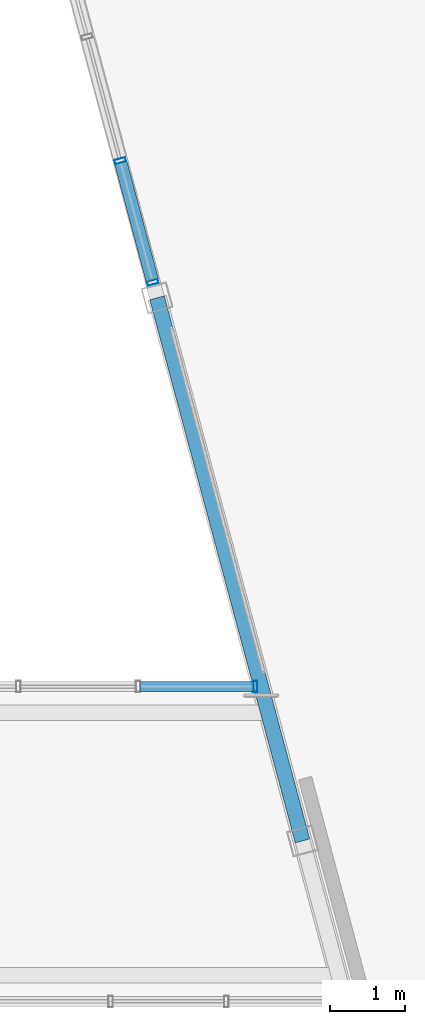
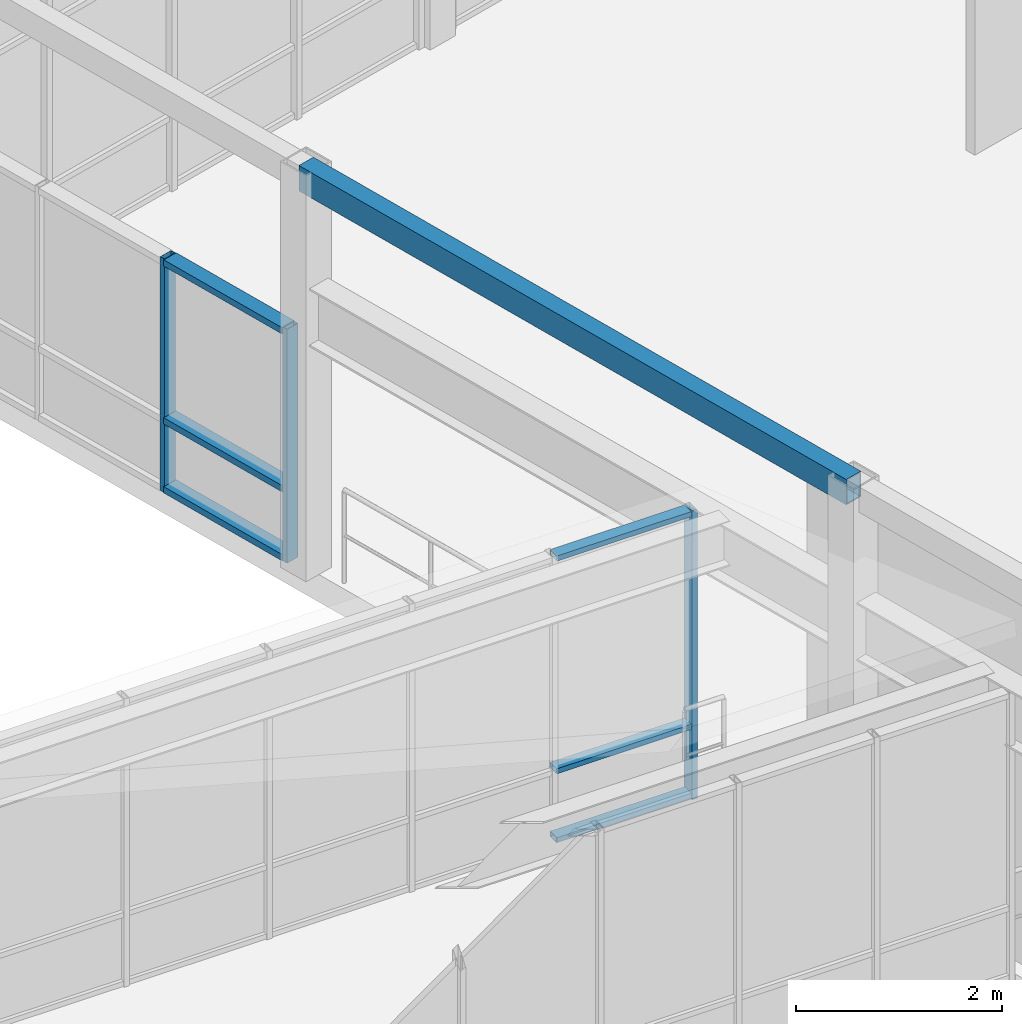
# One storey, part 33 of 99: 9 members, 1 beam, 2 elements without a shape of their own.
"""IFC4 building model written with IfcOpenShell, lengths in metres."""

from ifc_helpers import new_model, si_unit, direction, frame, origin, origin_2d, place, context, subcontext, project, spatial, hollow_rectangle, extrude, material, layer, layer_set, material_profile, profile_set, type_object, element, aggregate, save


model = new_model("IFC4")

# Units and contexts
model_context = context("Model", 3, precision=1e-05, world=origin(), true_north=direction((0.0, 1.0)))
body_context = subcontext(model_context, "Body", "Model", "MODEL_VIEW")
ifc_project = project(units=[si_unit("LENGTHUNIT", "METRE"), si_unit("AREAUNIT", "SQUARE_METRE"), si_unit("VOLUMEUNIT", "CUBIC_METRE"), si_unit("PLANEANGLEUNIT", "RADIAN"), si_unit("MASSUNIT", "GRAM", prefix="KILO")], contexts=[model_context])

# Site, building, storey
site_placement = place(None, origin())
site = spatial("IfcSite", under=ifc_project, at=site_placement, CompositionType="ELEMENT")
building_placement = place(site_placement, origin())
building = spatial("IfcBuilding", under=site, at=building_placement, Name="Ventoquebrada Cableway Terminal", CompositionType="ELEMENT")
storey_placement = place(building_placement, frame((0.0, 0.0, 9.60009765625)))
storey = spatial("IfcBuildingStorey", under=building, at=storey_placement, Name="L02", CompositionType="ELEMENT", Elevation=9.60009765625)

# Curtain wall, members
ifc_material_1 = material(Name="Anodized thermally-broken aluminium", Category="aluminium")
ifc_layer_1 = layer(ifc_material_1, 0.159912109375)
ifc_layer_set_1 = layer_set([ifc_layer_1], Name="Anodized thermally-broken aluminium")
curtain_wall_type_1 = type_object("IfcCurtainWallType", Name="CW-T41", PredefinedType="USERDEFINED", material=ifc_layer_set_1)
curtain_wall_1_placement = place(storey_placement, origin())
curtain_wall_1 = element("IfcCurtainWall", 1, at=curtain_wall_1_placement, inside=storey, type_object=curtain_wall_type_1, Name="Unitised glazed curtain wall CW-112", ObjectType="UNITISED CURTAIN WALL", PredefinedType="USERDEFINED")
ifc_material_profile_1 = material_profile(ifc_material_1, hollow_rectangle(XDim=0.06005859375, YDim=0.14990234375, WallThickness=0.00390625, at=origin_2d()), Name="CW-MUL-60X150")
ifc_profile_set_1 = profile_set([ifc_material_profile_1], Name="Anodized thermally-broken aluminium")
member_type_1 = type_object("IfcMemberType", Name="CWM-03", PredefinedType="MULLION", material=ifc_profile_set_1)
member_1_placement = place(storey_placement, frame((46.181884765625, 91.4150390625, -0.008056640625), z_axis=(0.0, 0.0, 1.0), x_axis=(0.258616736395, -0.965980012038, 0.0)))
member_1 = element("IfcMember", 2, at=member_1_placement, type_object=member_type_1, Name="Curtain wall mullion FML-0546", PredefinedType="MULLION", context=body_context, shape_type="SweptSolid", body=[
    extrude(hollow_rectangle(XDim=0.06005859375, YDim=0.14990234375, WallThickness=0.00390625, at=origin_2d()), origin(), (0.0, 0.0, 1.0), 2.764892578125),
])
member_2_placement = place(storey_placement, frame((46.615966796875, 89.7939453125, -0.008056640625), z_axis=(0.0, 0.0, 1.0), x_axis=(0.258616736395, -0.965980012038, 0.0)))
member_2 = element("IfcMember", 3, at=member_2_placement, type_object=member_type_1, Name="Curtain wall mullion FML-0547", PredefinedType="MULLION", context=body_context, shape_type="SweptSolid", body=[
    extrude(hollow_rectangle(XDim=0.06005859375, YDim=0.14990234375, WallThickness=0.00390625, at=origin_2d()), origin(), (0.0, 0.0, 1.0), 2.764892578125),
])

ifc_layer_2 = layer(ifc_material_1, 0.159912109375)
ifc_layer_set_2 = layer_set([ifc_layer_2], Name="Anodized thermally-broken aluminium")
curtain_wall_type_2 = type_object("IfcCurtainWallType", Name="CW-T53", PredefinedType="USERDEFINED", material=ifc_layer_set_2)
curtain_wall_2_placement = place(storey_placement, origin())
curtain_wall_2 = element("IfcCurtainWall", 4, at=curtain_wall_2_placement, inside=storey, type_object=curtain_wall_type_2, Name="Unitised glazed curtain wall CW-172", ObjectType="UNITISED CURTAIN WALL", PredefinedType="USERDEFINED")
member_3_placement = place(storey_placement, frame((47.98095703125, 84.39990234375, -0.008056640625), z_axis=(0.0, 0.0, 1.0), x_axis=(-1.0, 0.0, 0.0)))
member_3 = element("IfcMember", 5, at=member_3_placement, type_object=member_type_1, Name="Curtain wall mullion FML-0852", PredefinedType="MULLION", context=body_context, shape_type="SweptSolid", body=[
    extrude(hollow_rectangle(XDim=0.06005859375, YDim=0.14990234375, WallThickness=0.00390625, at=origin_2d()), origin(), (0.0, 0.0, 1.0), 3.412841796875),
])
ifc_material_profile_2 = material_profile(ifc_material_1, hollow_rectangle(XDim=0.06005859375, YDim=0.1298828125, WallThickness=0.00390625, at=origin_2d()), Name="CW-TRN-60X130")
ifc_profile_set_2 = profile_set([ifc_material_profile_2], Name="Anodized thermally-broken aluminium")
member_type_2 = type_object("IfcMemberType", Name="CWT-02", PredefinedType="USERDEFINED", material=ifc_profile_set_2)
member_4_placement = place(storey_placement, frame((47.9560546875, 84.39990234375, 0.034912109375), z_axis=(-1.0, 0.0, 0.0), x_axis=(0.0, 0.0, 1.0)))
member_4 = element("IfcMember", 6, at=member_4_placement, type_object=member_type_2, Name="Curtain wall transom FTR-2489", ObjectType="TRANSOM", PredefinedType="USERDEFINED", context=body_context, shape_type="SweptSolid", body=[
    extrude(hollow_rectangle(XDim=0.06005859375, YDim=0.1298828125, WallThickness=0.00390625, at=origin_2d()), origin(), (0.0, 0.0, 1.0), 1.510986328125),
])
member_5_placement = place(storey_placement, frame((47.9560546875, 84.39990234375, 0.849853515625), z_axis=(-1.0, 0.0, 0.0), x_axis=(0.0, 0.0, 1.0)))
member_5 = element("IfcMember", 7, at=member_5_placement, type_object=member_type_2, Name="Curtain wall transom FTR-2490", ObjectType="TRANSOM", PredefinedType="USERDEFINED", context=body_context, shape_type="SweptSolid", body=[
    extrude(hollow_rectangle(XDim=0.06005859375, YDim=0.1298828125, WallThickness=0.00390625, at=origin_2d()), origin(), (0.0, 0.0, 1.0), 1.510986328125),
])
member_6_placement = place(storey_placement, frame((47.9560546875, 84.39990234375, 3.364990234375), z_axis=(-1.0, 0.0, 0.0), x_axis=(0.0, 0.0, 1.0)))
member_6 = element("IfcMember", 8, at=member_6_placement, type_object=member_type_2, Name="Curtain wall transom FTR-2491", ObjectType="TRANSOM", PredefinedType="USERDEFINED", context=body_context, shape_type="SweptSolid", body=[
    extrude(hollow_rectangle(XDim=0.06005859375, YDim=0.1298828125, WallThickness=0.00390625, at=origin_2d()), origin(), (0.0, 0.0, 1.0), 1.510986328125),
])
aggregate(curtain_wall_2, [member_3, member_4, member_5, member_6])

# Member
ifc_material_profile_3 = material_profile(ifc_material_1, hollow_rectangle(XDim=0.074951171875, YDim=0.169921875, WallThickness=0.00439453125, at=origin_2d()), Name="CW-TRN-75X170")
ifc_profile_set_3 = profile_set([ifc_material_profile_3], Name="Anodized thermally-broken aluminium")
member_type_3 = type_object("IfcMemberType", Name="CWT-03", PredefinedType="USERDEFINED", material=ifc_profile_set_3)
member_7_placement = place(storey_placement, frame((46.18798828125, 91.39111328125, 0.034912109375), z_axis=(0.258483764983, -0.966015601965, 0.0), x_axis=(0.0, 0.0, 1.0)))
member_7 = element("IfcMember", 9, at=member_7_placement, type_object=member_type_3, Name="Curtain wall transom FTR-1611", ObjectType="TRANSOM", PredefinedType="USERDEFINED", context=body_context, shape_type="SweptSolid", body=[
    extrude(hollow_rectangle(XDim=0.074951171875, YDim=0.169921875, WallThickness=0.00439453125, at=origin_2d()), origin(), (0.0, 0.0, 1.0), 1.62841796875),
])

member_8_placement = place(storey_placement, frame((46.18798828125, 91.39111328125, 0.849853515625), z_axis=(0.258483764983, -0.966015601965, 0.0), x_axis=(0.0, 0.0, 1.0)))
member_8 = element("IfcMember", 10, at=member_8_placement, type_object=member_type_3, Name="Curtain wall transom FTR-1612", ObjectType="TRANSOM", PredefinedType="USERDEFINED", context=body_context, shape_type="SweptSolid", body=[
    extrude(hollow_rectangle(XDim=0.074951171875, YDim=0.169921875, WallThickness=0.00439453125, at=origin_2d()), origin(), (0.0, 0.0, 1.0), 1.62841796875),
])

member_9_placement = place(storey_placement, frame((46.18798828125, 91.39111328125, 2.716796875), z_axis=(0.258483764983, -0.966015601965, 0.0), x_axis=(0.0, 0.0, 1.0)))
member_9 = element("IfcMember", 11, at=member_9_placement, type_object=member_type_3, Name="Curtain wall transom FTR-1613", ObjectType="TRANSOM", PredefinedType="USERDEFINED", context=body_context, shape_type="SweptSolid", body=[
    extrude(hollow_rectangle(XDim=0.074951171875, YDim=0.169921875, WallThickness=0.00439453125, at=origin_2d()), origin(), (0.0, 0.0, 1.0), 1.62841796875),
])

aggregate(curtain_wall_1, [member_1, member_2, member_7, member_8, member_9])

# Beam
ifc_material_2 = material(Name="Steel ASTM A500 Grade C", Category="steel")
ifc_material_profile_4 = material_profile(ifc_material_2, hollow_rectangle(XDim=0.199951171875, YDim=0.300048828125, WallThickness=0.012451171875, at=origin_2d()), Name="RHS300X200X12.5")
ifc_profile_set_4 = profile_set([ifc_material_profile_4], Name="Steel ASTM A500 Grade C")
beam_type = type_object("IfcBeamType", Name="SP-ST02", PredefinedType="SPANDREL", material=ifc_profile_set_4)
beam_placement = place(storey_placement, frame((48.613037109375, 82.341064453125, 4.64990234375), z_axis=(-0.258776761059, 0.965937155273, 0.0), x_axis=(-0.965937155273, -0.258776761059, 0.0)))
element("IfcBeam", 12, at=beam_placement, inside=storey, type_object=beam_type, Name="Boarding hall perimeter tie beam FBM-1083", PredefinedType="SPANDREL", context=body_context, shape_type="SweptSolid", body=[
    extrude(hollow_rectangle(XDim=0.199951171875, YDim=0.300048828125, WallThickness=0.012451171875, at=origin_2d()), origin(), (0.0, 0.0, 1.0), 7.500244140625),
])

save(model, "model.ifc")
